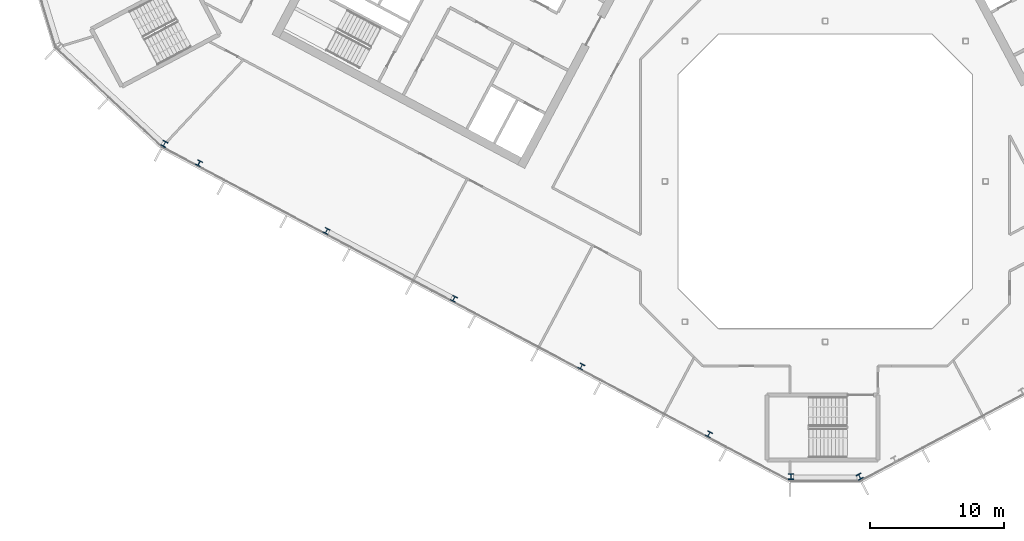
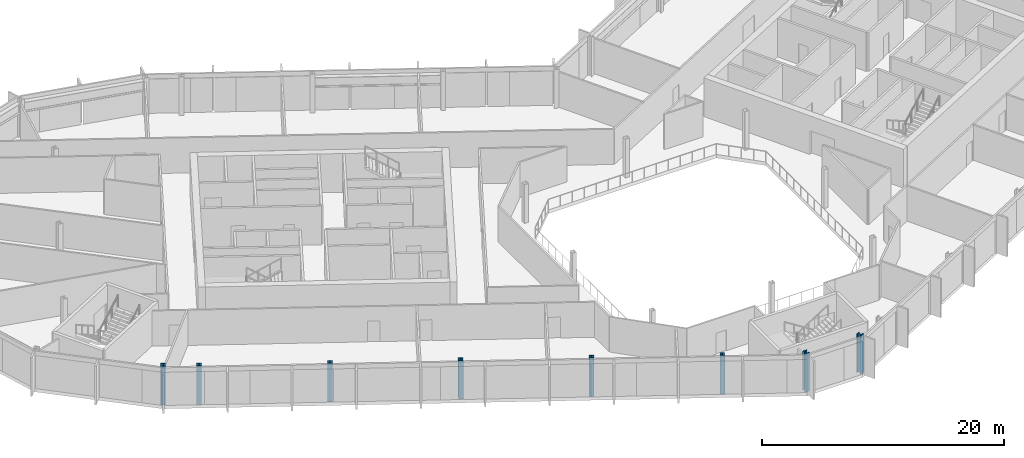
# One storey, part 1 of 27: 8 columns.
"""IFC4 building model written with IfcOpenShell, lengths in metres."""

from ifc_helpers import new_model, si_unit, direction, frame, origin, origin_2d, place, context, subcontext, project, spatial, i_section, extrude, material, material_profile, profile_set, type_object, element, save


model = new_model("IFC4")

# Units and contexts
model_context = context("Model", 3, precision=1e-05, world=origin(), true_north=direction((0.0, 1.0)))
body_context = subcontext(model_context, "Body", "Model", "MODEL_VIEW")
ifc_project = project(units=[si_unit("LENGTHUNIT", "METRE"), si_unit("AREAUNIT", "SQUARE_METRE"), si_unit("VOLUMEUNIT", "CUBIC_METRE"), si_unit("PLANEANGLEUNIT", "RADIAN"), si_unit("MASSUNIT", "GRAM", prefix="KILO")], contexts=[model_context])

# Site, building, storey
site_placement = place(None, origin())
site = spatial("IfcSite", under=ifc_project, at=site_placement, CompositionType="ELEMENT")
building_placement = place(site_placement, origin())
building = spatial("IfcBuilding", under=site, at=building_placement, Name="Cormorant Relay Tower", CompositionType="ELEMENT")
storey_placement = place(building_placement, frame((0.0, 0.0, 201.300048828125)))
storey = spatial("IfcBuildingStorey", under=building, at=storey_placement, Name="L43", CompositionType="ELEMENT", Elevation=201.300048828125)

# Columns
ifc_material_1 = material(Name="Steel ASTM A992 (Fy 345 MPa)", Category="steel")
ifc_material_profile_1 = material_profile(ifc_material_1, i_section(OverallWidth=0.40380859375, OverallDepth=0.406494140625, WebThickness=0.027099609375, FlangeThickness=0.043701171875, FilletRadius=0.01513671875, at=origin_2d()), Name="W360x347")
ifc_profile_set_1 = profile_set([ifc_material_profile_1], Name="Steel ASTM A992 (Fy 345 MPa)")
column_type_1 = type_object("IfcColumnType", Name="Column W360x347", PredefinedType="COLUMN", material=ifc_profile_set_1)
for number, where, z_axis, x_axis, name in (
    (1, (-8.700927734375, -18.919921875, 0.0), (0.0, 0.0, 1.0), (0.882947592859, -0.469471562786, 0.0), "Column L43-004"),
    (2, (-18.237060546875, -13.85009765625, 0.0), (0.0, 0.0, 1.0), (0.882947592859, -0.469471562786, 0.0), "Column L43-006"),
    (3, (-27.77197265625, -8.779052734375, 0.0), (0.0, 0.0, 1.0), (0.882947592859, -0.469471562786, 0.0), "Column L43-011"),
    (4, (-37.30810546875, -3.708984375, 0.0), (0.0, 0.0, 1.0), (0.882947592859, -0.469471562786, 0.0), "Column L43-013"),
    (5, (-46.843994140625, 1.361083984375, 0.0), (0.0, 0.0, 1.0), (0.882947592859, -0.469471562786, 0.0), "Column L43-017"),
):
    element("IfcColumn", number, at=place(storey_placement, frame(where, z_axis=z_axis, x_axis=x_axis)), inside=storey, type_object=column_type_1, Name=name, PredefinedType="COLUMN", context=body_context, shape_type="SweptSolid", body=[
        extrude(i_section(OverallWidth=0.40380859375, OverallDepth=0.406494140625, WebThickness=0.027099609375, FlangeThickness=0.043701171875, FilletRadius=0.01513671875, at=origin_2d()), origin(), (0.0, 0.0, 1.0), 3.89990234375),
    ])
ifc_material_2 = material(Name="Steel ASTM A992 (Fy 345 MPa)", Category="steel")
ifc_material_profile_2 = material_profile(ifc_material_2, i_section(OverallWidth=0.41162109375, OverallDepth=0.434326171875, WebThickness=0.035888671875, FlangeThickness=0.057373046875, FilletRadius=0.01513671875, at=origin_2d()), Name="W360x463")
ifc_profile_set_2 = profile_set([ifc_material_profile_2], Name="Steel ASTM A992 (Fy 345 MPa)")
column_type_2 = type_object("IfcColumnType", Name="Column W360x463", PredefinedType="COLUMN", material=ifc_profile_set_2)
for number, where, z_axis, x_axis, name in (
    (6, (-2.575927734375, -22.083984375, 0.0), (0.0, 0.0, 1.0), (1.0, 0.0, 0.0), "Column L43-001"),
    (7, (2.575927734375, -22.083984375, 0.0), (0.0, 0.0, 1.0), (0.882947592859, 0.469471562786, 0.0), "Column L43-002"),
    (8, (-49.43505859375, 2.803955078125, 0.0), (0.0, 0.0, 1.0), (0.882947592859, -0.469471562786, 0.0), "Column L43-018"),
):
    element("IfcColumn", number, at=place(storey_placement, frame(where, z_axis=z_axis, x_axis=x_axis)), inside=storey, type_object=column_type_2, Name=name, PredefinedType="COLUMN", context=body_context, shape_type="SweptSolid", body=[
        extrude(i_section(OverallWidth=0.41162109375, OverallDepth=0.434326171875, WebThickness=0.035888671875, FlangeThickness=0.057373046875, FilletRadius=0.01513671875, at=origin_2d()), origin(), (0.0, 0.0, 1.0), 3.89990234375),
    ])

save(model, "model.ifc")
